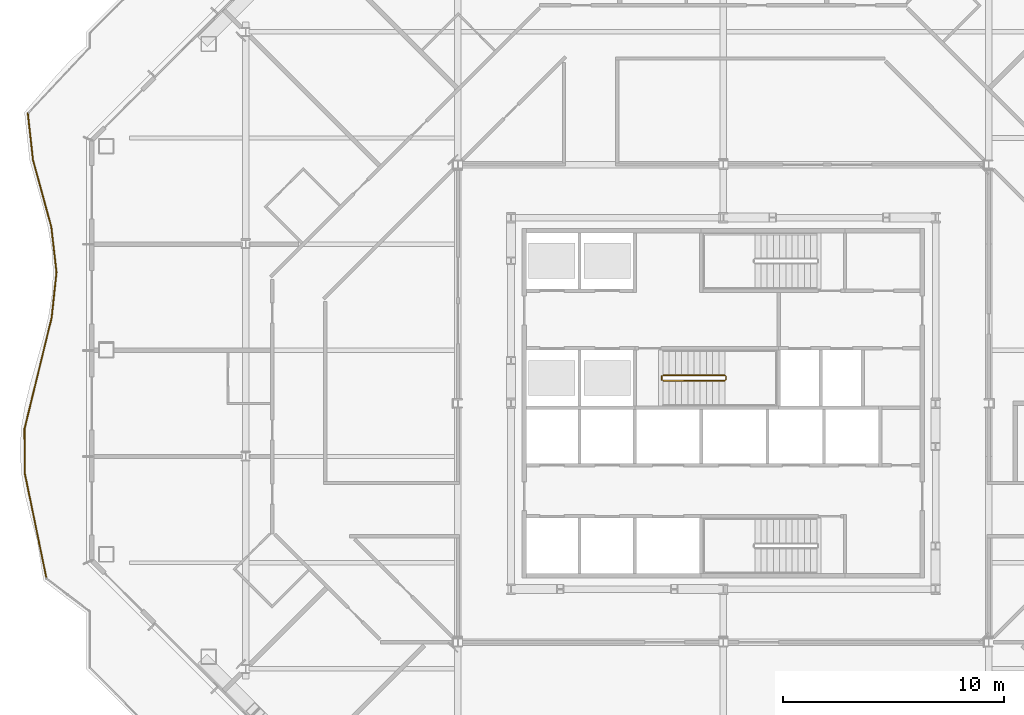
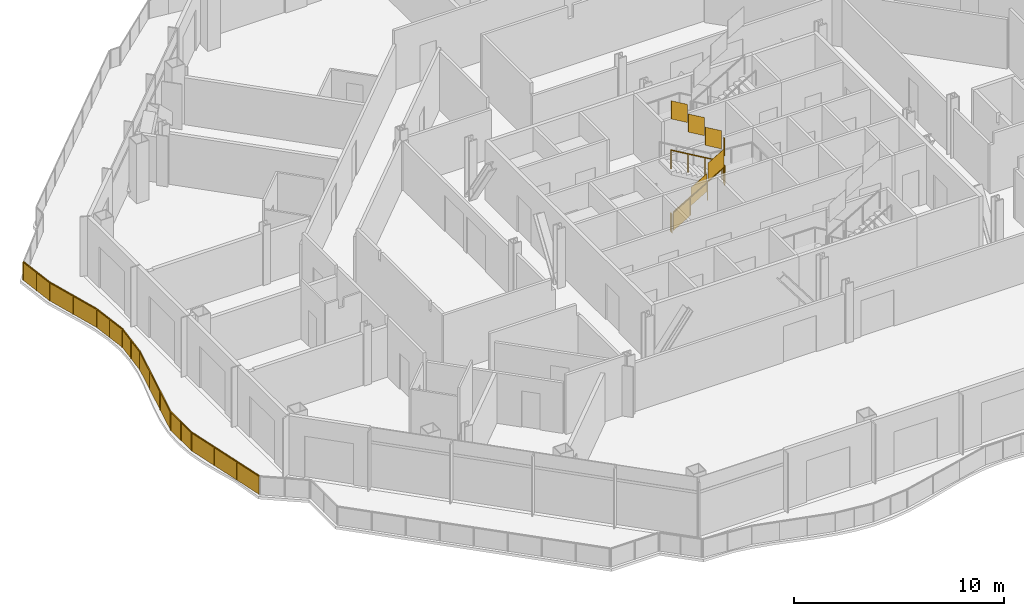
# One storey, part 18 of 24: 3 railings.
"""IFC4 building model written with IfcOpenShell, lengths in metres."""

from ifc_helpers import new_model, si_unit, direction, frame, origin, origin_2d, place, context, subcontext, project, spatial, polyline, rectangle, outline, extrude, material, type_object, element, save


model = new_model("IFC4")

# Units and contexts
model_context = context("Model", 3, precision=1e-05, world=origin(), true_north=direction((0.0, 1.0)))
body_context = subcontext(model_context, "Body", "Model", "MODEL_VIEW")
ifc_project = project(units=[si_unit("LENGTHUNIT", "METRE"), si_unit("AREAUNIT", "SQUARE_METRE"), si_unit("VOLUMEUNIT", "CUBIC_METRE"), si_unit("PLANEANGLEUNIT", "RADIAN"), si_unit("MASSUNIT", "GRAM", prefix="KILO")], contexts=[model_context])

# Site, building, storey
site_placement = place(None, origin())
site = spatial("IfcSite", under=ifc_project, at=site_placement, CompositionType="ELEMENT")
building_placement = place(site_placement, origin())
building = spatial("IfcBuilding", under=site, at=building_placement, Name="Cairn Pilgrim Tower", CompositionType="ELEMENT")
storey_placement = place(building_placement, frame((0.0, 0.0, 125.39990234375)))
storey = spatial("IfcBuildingStorey", under=building, at=storey_placement, Name="L30", CompositionType="ELEMENT", Elevation=125.39990234375)

# Railings
ifc_material_1 = material(Name="Bronze anodised aluminium rail and posts with laminated glass infill", Category="aluminium")
railing_type_1 = type_object("IfcRailingType", Name="BALCONY GUARD 1100", PredefinedType="GUARDRAIL", material=ifc_material_1)
railing_1_placement = place(storey_placement, frame((-24.245361328125, 15.50830078125, 0.0)))
element("IfcRailing", 1, at=railing_1_placement, inside=storey, type_object=railing_type_1, Name="Balcony guard BG-18", PredefinedType="GUARDRAIL", context=body_context, shape_type="SweptSolid", body=[
    extrude(rectangle(XDim=0.050048828125, YDim=0.050048828125, at=origin_2d()), frame((0.0, 0.0, 1.0751953125), z_axis=(0.109577885397, -0.993978212554, 0.0), x_axis=(0.993978212554, 0.109577885397, 0.0)), (0.0, 0.0, 1.0), 2.103271484375),
    extrude(rectangle(XDim=0.050048828125, YDim=0.050048828125, at=origin_2d()), frame((0.23046875, -2.090576171875, 1.0751953125), z_axis=(0.263899558206, -0.964550166232, 0.0), x_axis=(0.964550166232, 0.263899558206, 0.0)), (0.0, 0.0, 1.0), 3.142578125),
    extrude(rectangle(XDim=0.050048828125, YDim=0.050048828125, at=origin_2d()), frame((1.059814453125, -5.121826171875, 1.0751953125), z_axis=(0.11457468943, -0.993414636766, 0.0), x_axis=(0.993414636766, 0.11457468943, 0.0)), (0.0, 0.0, 1.0), 2.062744140625),
    extrude(rectangle(XDim=0.050048828125, YDim=0.050048828125, at=origin_2d()), frame((1.296142578125, -7.1708984375, 1.0751953125), z_axis=(-0.105771086434, -0.994390505423, 0.0), x_axis=(0.994390505423, -0.105771086434, 0.0)), (0.0, 0.0, 1.0), 2.058837890625),
    extrude(rectangle(XDim=0.050048828125, YDim=0.050048828125, at=origin_2d()), frame((1.078369140625, -9.21826171875, 1.0751953125), z_axis=(-0.236755915702, -0.971569161913, 0.0), x_axis=(0.971569161913, -0.236755915702, 0.0)), (0.0, 0.0, 1.0), 5.192138671875),
    extrude(rectangle(XDim=0.050048828125, YDim=0.050048828125, at=origin_2d()), frame((-0.15087890625, -14.2626953125, 1.0751953125), z_axis=(0.004667107116, -0.999989108996, 0.0), x_axis=(0.999989108996, 0.004667107116, 0.0)), (0.0, 0.0, 1.0), 1.98779296875),
    extrude(rectangle(XDim=0.050048828125, YDim=0.050048828125, at=origin_2d()), frame((-0.1416015625, -16.25048828125, 1.0751953125), z_axis=(0.201981922156, -0.979389250054, 0.0), x_axis=(0.979389250054, 0.201981922156, 0.0)), (0.0, 0.0, 1.0), 4.815673828125),
    extrude(rectangle(XDim=0.050048828125, YDim=0.050048828125, at=origin_2d()), origin(), (0.0, 0.0, 1.0), 1.050048828125),
    extrude(rectangle(XDim=0.050048828125, YDim=0.050048828125, at=origin_2d()), frame((0.115234375, -1.04541015625, 0.0)), (0.0, 0.0, 1.0), 1.050048828125),
    extrude(rectangle(XDim=0.050048828125, YDim=0.050048828125, at=origin_2d()), frame((0.23046875, -2.090576171875, 0.0)), (0.0, 0.0, 1.0), 1.050048828125),
    extrude(rectangle(XDim=0.050048828125, YDim=0.050048828125, at=origin_2d()), frame((0.64501953125, -3.606201171875, 0.0)), (0.0, 0.0, 1.0), 1.050048828125),
    extrude(rectangle(XDim=0.050048828125, YDim=0.050048828125, at=origin_2d()), frame((1.059814453125, -5.121826171875, 0.0)), (0.0, 0.0, 1.0), 1.050048828125),
    extrude(rectangle(XDim=0.050048828125, YDim=0.050048828125, at=origin_2d()), frame((1.177978515625, -6.146484375, 0.0)), (0.0, 0.0, 1.0), 1.050048828125),
    extrude(rectangle(XDim=0.050048828125, YDim=0.050048828125, at=origin_2d()), frame((1.296142578125, -7.1708984375, 0.0)), (0.0, 0.0, 1.0), 1.050048828125),
    extrude(rectangle(XDim=0.050048828125, YDim=0.050048828125, at=origin_2d()), frame((1.187255859375, -8.194580078125, 0.0)), (0.0, 0.0, 1.0), 1.050048828125),
    extrude(rectangle(XDim=0.050048828125, YDim=0.050048828125, at=origin_2d()), frame((1.078369140625, -9.21826171875, 0.0)), (0.0, 0.0, 1.0), 1.050048828125),
    extrude(rectangle(XDim=0.050048828125, YDim=0.050048828125, at=origin_2d()), frame((0.668701171875, -10.899658203125, 0.0)), (0.0, 0.0, 1.0), 1.050048828125),
    extrude(rectangle(XDim=0.050048828125, YDim=0.050048828125, at=origin_2d()), frame((0.2587890625, -12.581298828125, 0.0)), (0.0, 0.0, 1.0), 1.050048828125),
    extrude(rectangle(XDim=0.050048828125, YDim=0.050048828125, at=origin_2d()), frame((-0.15087890625, -14.2626953125, 0.0)), (0.0, 0.0, 1.0), 1.050048828125),
    extrude(rectangle(XDim=0.050048828125, YDim=0.050048828125, at=origin_2d()), frame((-0.146240234375, -15.256591796875, 0.0)), (0.0, 0.0, 1.0), 1.050048828125),
    extrude(rectangle(XDim=0.050048828125, YDim=0.050048828125, at=origin_2d()), frame((-0.1416015625, -16.25048828125, 0.0)), (0.0, 0.0, 1.0), 1.050048828125),
    extrude(rectangle(XDim=0.050048828125, YDim=0.050048828125, at=origin_2d()), frame((0.1826171875, -17.822509765625, 0.0)), (0.0, 0.0, 1.0), 1.050048828125),
    extrude(rectangle(XDim=0.050048828125, YDim=0.050048828125, at=origin_2d()), frame((0.5068359375, -19.394775390625, 0.0)), (0.0, 0.0, 1.0), 1.050048828125),
    extrude(rectangle(XDim=0.050048828125, YDim=0.050048828125, at=origin_2d()), frame((0.8310546875, -20.966796875, 0.0)), (0.0, 0.0, 1.0), 1.050048828125),
    extrude(outline(polyline([(0.02490234375, 0.0), (1.026611328125, 0.0), (1.026611328125, 1.050048828125), (0.02490234375, 1.050048828125), (0.02490234375, 0.0)])), frame((0.005859375, 0.000732421875, 0.0), z_axis=(-0.993978212554, -0.109577885397, 0.0), x_axis=(0.109577885397, -0.993978212554, 0.0)), (0.0, 0.0, 1.0), 0.011962890625),
    extrude(outline(polyline([(0.02490234375, 0.0), (1.026611328125, 0.0), (1.026611328125, 1.050048828125), (0.02490234375, 1.050048828125), (0.02490234375, 0.0)])), frame((0.12109375, -1.044677734375, 0.0), z_axis=(-0.993978212554, -0.109577885397, 0.0), x_axis=(0.109577885397, -0.993978212554, 0.0)), (0.0, 0.0, 1.0), 0.011962890625),
    extrude(outline(polyline([(0.02490234375, 0.0), (1.54638671875, 0.0), (1.54638671875, 1.050048828125), (0.02490234375, 1.050048828125), (0.02490234375, 0.0)])), frame((0.236328125, -2.089111328125, 0.0), z_axis=(-0.964550166232, -0.263899558206, 0.0), x_axis=(0.263899558206, -0.964550166232, 0.0)), (0.0, 0.0, 1.0), 0.011962890625),
    extrude(outline(polyline([(0.02490234375, 0.0), (1.54638671875, 0.0), (1.54638671875, 1.050048828125), (0.02490234375, 1.050048828125), (0.02490234375, 0.0)])), frame((0.65087890625, -3.604736328125, 0.0), z_axis=(-0.964550166232, -0.263899558206, 0.0), x_axis=(0.263899558206, -0.964550166232, 0.0)), (0.0, 0.0, 1.0), 0.011962890625),
    extrude(outline(polyline([(0.02490234375, 0.0), (1.00634765625, 0.0), (1.00634765625, 1.050048828125), (0.02490234375, 1.050048828125), (0.02490234375, 0.0)])), frame((1.065673828125, -5.12109375, 0.0), z_axis=(-0.993414636766, -0.11457468943, 0.0), x_axis=(0.11457468943, -0.993414636766, 0.0)), (0.0, 0.0, 1.0), 0.011962890625),
    extrude(outline(polyline([(0.02490234375, 0.0), (1.00634765625, 0.0), (1.00634765625, 1.050048828125), (0.02490234375, 1.050048828125), (0.02490234375, 0.0)])), frame((1.183837890625, -6.145751953125, 0.0), z_axis=(-0.993414636766, -0.11457468943, 0.0), x_axis=(0.11457468943, -0.993414636766, 0.0)), (0.0, 0.0, 1.0), 0.011962890625),
    extrude(outline(polyline([(0.02490234375, 0.0), (1.00439453125, 0.0), (1.00439453125, 1.050048828125), (0.02490234375, 1.050048828125), (0.02490234375, 0.0)])), frame((1.302001953125, -7.171630859375, 0.0), z_axis=(-0.994390505423, 0.105771086434, 0.0), x_axis=(-0.105771086434, -0.994390505423, 0.0)), (0.0, 0.0, 1.0), 0.011962890625),
    extrude(outline(polyline([(0.02490234375, 0.0), (1.00439453125, 0.0), (1.00439453125, 1.050048828125), (0.02490234375, 1.050048828125), (0.02490234375, 0.0)])), frame((1.193115234375, -8.1953125, 0.0), z_axis=(-0.994390505423, 0.105771086434, 0.0), x_axis=(-0.105771086434, -0.994390505423, 0.0)), (0.0, 0.0, 1.0), 0.011962890625),
    extrude(outline(polyline([(0.02490234375, 0.0), (1.70556640625, 0.0), (1.70556640625, 1.050048828125), (0.02490234375, 1.050048828125), (0.02490234375, 0.0)])), frame((1.084228515625, -9.2197265625, 0.0), z_axis=(-0.971569161913, 0.236755915702, 0.0), x_axis=(-0.236755915702, -0.971569161913, 0.0)), (0.0, 0.0, 1.0), 0.011962890625),
    extrude(outline(polyline([(0.02490234375, 0.0), (1.70556640625, 0.0), (1.70556640625, 1.050048828125), (0.02490234375, 1.050048828125), (0.02490234375, 0.0)])), frame((0.67431640625, -10.901123046875, 0.0), z_axis=(-0.971569161913, 0.236755915702, 0.0), x_axis=(-0.236755915702, -0.971569161913, 0.0)), (0.0, 0.0, 1.0), 0.011962890625),
    extrude(outline(polyline([(0.02490234375, 0.0), (1.70556640625, 0.0), (1.70556640625, 1.050048828125), (0.02490234375, 1.050048828125), (0.02490234375, 0.0)])), frame((0.2646484375, -12.58251953125, 0.0), z_axis=(-0.971569161913, 0.236755915702, 0.0), x_axis=(-0.236755915702, -0.971569161913, 0.0)), (0.0, 0.0, 1.0), 0.011962890625),
    extrude(outline(polyline([(0.02490234375, 0.0), (0.968994140625, 0.0), (0.968994140625, 1.050048828125), (0.02490234375, 1.050048828125), (0.02490234375, 0.0)])), frame((-0.14501953125, -14.2626953125, 0.0), z_axis=(-0.999989108996, -0.004667107116, 0.0), x_axis=(0.004667107116, -0.999989108996, 0.0)), (0.0, 0.0, 1.0), 0.011962890625),
    extrude(outline(polyline([(0.02490234375, 0.0), (0.968994140625, 0.0), (0.968994140625, 1.050048828125), (0.02490234375, 1.050048828125), (0.02490234375, 0.0)])), frame((-0.140380859375, -15.256591796875, 0.0), z_axis=(-0.999989108996, -0.004667107116, 0.0), x_axis=(0.004667107116, -0.999989108996, 0.0)), (0.0, 0.0, 1.0), 0.011962890625),
    extrude(outline(polyline([(0.02490234375, 0.0), (1.580078125, 0.0), (1.580078125, 1.050048828125), (0.02490234375, 1.050048828125), (0.02490234375, 0.0)])), frame((-0.1357421875, -16.249267578125, 0.0), z_axis=(-0.979389250054, -0.201981922156, 0.0), x_axis=(0.201981922156, -0.979389250054, 0.0)), (0.0, 0.0, 1.0), 0.011962890625),
    extrude(outline(polyline([(0.02490234375, 0.0), (1.580078125, 0.0), (1.580078125, 1.050048828125), (0.02490234375, 1.050048828125), (0.02490234375, 0.0)])), frame((0.1884765625, -17.8212890625, 0.0), z_axis=(-0.979389250054, -0.201981922156, 0.0), x_axis=(0.201981922156, -0.979389250054, 0.0)), (0.0, 0.0, 1.0), 0.011962890625),
    extrude(outline(polyline([(0.02490234375, 0.0), (1.580078125, 0.0), (1.580078125, 1.050048828125), (0.02490234375, 1.050048828125), (0.02490234375, 0.0)])), frame((0.5126953125, -19.3935546875, 0.0), z_axis=(-0.979389250054, -0.201981922156, 0.0), x_axis=(0.201981922156, -0.979389250054, 0.0)), (0.0, 0.0, 1.0), 0.011962890625),
])
ifc_material_2 = material(Name="Painted steel", Category="steel")
railing_type_2 = type_object("IfcRailingType", Name="STAIR GUARD 1100", PredefinedType="GUARDRAIL", material=ifc_material_2)
railing_2_placement = place(storey_placement, frame((4.47509765625, 3.425048828125, 0.163818359375)))
element("IfcRailing", 2, at=railing_2_placement, inside=storey, type_object=railing_type_2, Name="L30 ST-B stair guard 1", PredefinedType="GUARDRAIL", context=body_context, shape_type="SweptSolid", body=[
    extrude(rectangle(XDim=0.048095703125, YDim=0.048095703125, at=origin_2d()), frame((0.0, 0.0, 1.076171875), z_axis=(0.863374499697, 0.0, 0.504563646405), x_axis=(0.0, 1.0, 0.0)), (0.0, 0.0, 1.0), 3.242919921875),
    extrude(rectangle(XDim=0.048095703125, YDim=0.048095703125, at=origin_2d()), frame((2.7998046875, 0.0, 2.71240234375), z_axis=(0.707106781187, 0.707106781187, 0.0), x_axis=(-0.707106781187, 0.707106781187, 0.0)), (0.0, 0.0, 1.0), 0.07080078125),
    extrude(rectangle(XDim=0.048095703125, YDim=0.048095703125, at=origin_2d()), frame((2.849853515625, 0.050048828125, 2.71240234375), z_axis=(0.0, 1.0, 0.0), x_axis=(-1.0, 0.0, 0.0)), (0.0, 0.0, 1.0), 0.14990234375),
    extrude(rectangle(XDim=0.048095703125, YDim=0.048095703125, at=origin_2d()), frame((2.849853515625, 0.199951171875, 2.71240234375), z_axis=(-0.280808744504, 0.280808744504, 0.917765164963), x_axis=(-0.707106781187, -0.707106781187, 0.0)), (0.0, 0.0, 1.0), 0.17822265625),
    extrude(rectangle(XDim=0.048095703125, YDim=0.048095703125, at=origin_2d()), frame((2.7998046875, 0.25, 2.8759765625), z_axis=(-0.863341702679, 0.0, 0.504619762213), x_axis=(0.0, -1.0, 0.0)), (0.0, 0.0, 1.0), 3.242919921875),
    extrude(rectangle(XDim=0.0419921875, YDim=0.0419921875, at=origin_2d()), origin(), (0.0, 0.0, 1.0), 1.052001953125),
    extrude(rectangle(XDim=0.0419921875, YDim=0.0419921875, at=origin_2d()), frame((0.933349609375, 0.0, 0.54541015625)), (0.0, 0.0, 1.0), 1.052001953125),
    extrude(rectangle(XDim=0.0419921875, YDim=0.0419921875, at=origin_2d()), frame((1.866455078125, 0.0, 1.0908203125)), (0.0, 0.0, 1.0), 1.052001953125),
    extrude(rectangle(XDim=0.0419921875, YDim=0.0419921875, at=origin_2d()), frame((2.7998046875, 0.0, 1.63623046875)), (0.0, 0.0, 1.0), 1.052001953125),
    extrude(rectangle(XDim=0.0419921875, YDim=0.0419921875, at=origin_2d()), frame((2.849853515625, 0.050048828125, 1.63623046875)), (0.0, 0.0, 1.0), 1.052001953125),
    extrude(rectangle(XDim=0.0419921875, YDim=0.0419921875, at=origin_2d()), frame((2.849853515625, 0.199951171875, 1.63623046875)), (0.0, 0.0, 1.0), 1.052001953125),
    extrude(rectangle(XDim=0.0419921875, YDim=0.0419921875, at=origin_2d()), frame((2.7998046875, 0.25, 1.7998046875)), (0.0, 0.0, 1.0), 1.052001953125),
    extrude(rectangle(XDim=0.0419921875, YDim=0.0419921875, at=origin_2d()), frame((1.866455078125, 0.25, 2.34521484375)), (0.0, 0.0, 1.0), 1.052001953125),
    extrude(rectangle(XDim=0.0419921875, YDim=0.0419921875, at=origin_2d()), frame((0.933349609375, 0.25, 2.890869140625)), (0.0, 0.0, 1.0), 1.052001953125),
    extrude(rectangle(XDim=0.0419921875, YDim=0.0419921875, at=origin_2d()), frame((0.0, 0.25, 3.436279296875)), (0.0, 0.0, 1.0), 1.052001953125),
    extrude(outline(polyline([(0.02099609375, 0.01220703125), (0.912353515625, 0.533203125), (0.912353515625, 1.585205078125), (0.02099609375, 1.064208984375), (0.02099609375, 0.01220703125)])), frame((0.0, 0.005859375, 0.0), z_axis=(0.0, -1.0, 0.0), x_axis=(1.0, 0.0, 0.0)), (0.0, 0.0, 1.0), 0.011962890625),
    extrude(outline(polyline([(0.02099609375, 0.5576171875), (0.912353515625, 1.07861328125), (0.912353515625, 2.130615234375), (0.02099609375, 1.609619140625), (0.02099609375, 0.5576171875)])), frame((0.933349609375, 0.005859375, 0.54541015625), z_axis=(0.0, -1.0, 0.0), x_axis=(1.0, 0.0, 0.0)), (0.0, 0.0, 1.0), 0.011962890625),
    extrude(outline(polyline([(0.02099609375, 1.10302734375), (0.912353515625, 1.6240234375), (0.912353515625, 2.676025390625), (0.02099609375, 2.155029296875), (0.02099609375, 1.10302734375)])), frame((1.866455078125, 0.005859375, 1.0908203125), z_axis=(0.0, -1.0, 0.0), x_axis=(1.0, 0.0, 0.0)), (0.0, 0.0, 1.0), 0.011962890625),
    extrude(outline(polyline([(0.02099609375, 1.63623046875), (0.12890625, 1.63623046875), (0.12890625, 2.688232421875), (0.02099609375, 2.688232421875), (0.02099609375, 1.63623046875)])), frame((2.84375, 0.050048828125, 1.63623046875), z_axis=(1.0, 0.0, 0.0), x_axis=(0.0, 1.0, 0.0)), (0.0, 0.0, 1.0), 0.011962890625),
    extrude(outline(polyline([(0.02099609375, 1.81201171875), (0.912353515625, 2.3330078125), (0.912353515625, 3.385009765625), (0.02099609375, 2.864013671875), (0.02099609375, 1.81201171875)])), frame((2.7998046875, 0.244140625, 1.7998046875), z_axis=(0.0, 1.0, 0.0), x_axis=(-1.0, 0.0, 0.0)), (0.0, 0.0, 1.0), 0.011962890625),
    extrude(outline(polyline([(0.02099609375, 2.357666015625), (0.912353515625, 2.87841796875), (0.912353515625, 3.930419921875), (0.02099609375, 3.40966796875), (0.02099609375, 2.357666015625)])), frame((1.866455078125, 0.244140625, 2.34521484375), z_axis=(0.0, 1.0, 0.0), x_axis=(-1.0, 0.0, 0.0)), (0.0, 0.0, 1.0), 0.011962890625),
    extrude(outline(polyline([(0.02099609375, 2.903076171875), (0.912353515625, 3.424072265625), (0.912353515625, 4.47607421875), (0.02099609375, 3.955078125), (0.02099609375, 2.903076171875)])), frame((0.933349609375, 0.244140625, 2.890869140625), z_axis=(0.0, 1.0, 0.0), x_axis=(-1.0, 0.0, 0.0)), (0.0, 0.0, 1.0), 0.011962890625),
])
railing_3_placement = place(storey_placement, frame((4.425048828125, 3.47509765625, 0.0)))
element("IfcRailing", 3, at=railing_3_placement, inside=storey, type_object=railing_type_2, Name="L30 ST-B stair guard 2", PredefinedType="GUARDRAIL", context=body_context, shape_type="SweptSolid", body=[
    extrude(rectangle(XDim=0.048095703125, YDim=0.048095703125, at=origin_2d()), frame((0.0, 0.0, 1.076171875), z_axis=(0.0, 1.0, 0.0), x_axis=(-1.0, 0.0, 0.0)), (0.0, 0.0, 1.0), 0.14990234375),
    extrude(rectangle(XDim=0.0419921875, YDim=0.0419921875, at=origin_2d()), origin(), (0.0, 0.0, 1.0), 1.052001953125),
    extrude(rectangle(XDim=0.0419921875, YDim=0.0419921875, at=origin_2d()), frame((0.0, 0.14990234375, 0.0)), (0.0, 0.0, 1.0), 1.052001953125),
    extrude(outline(polyline([(0.02099609375, 0.0), (0.12890625, 0.0), (0.12890625, 1.052001953125), (0.02099609375, 1.052001953125), (0.02099609375, 0.0)])), frame((-0.005859375, 0.0, 0.0), z_axis=(1.0, 0.0, 0.0), x_axis=(0.0, 1.0, 0.0)), (0.0, 0.0, 1.0), 0.011962890625),
])

save(model, "model.ifc")
